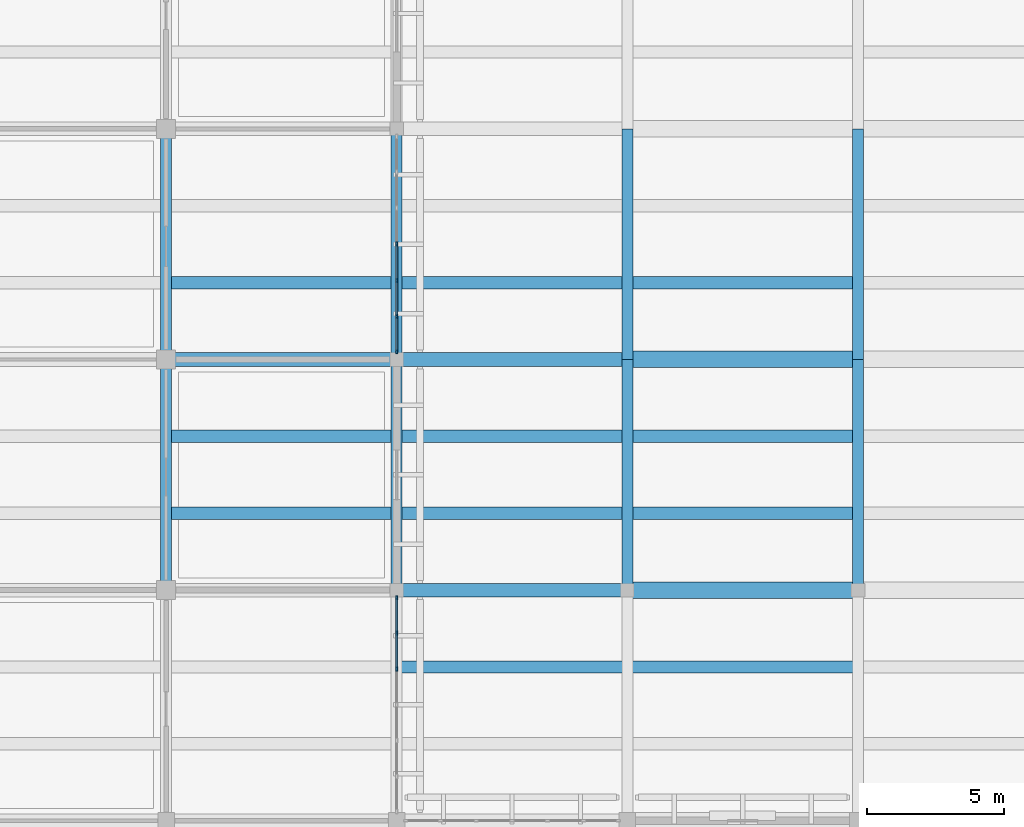
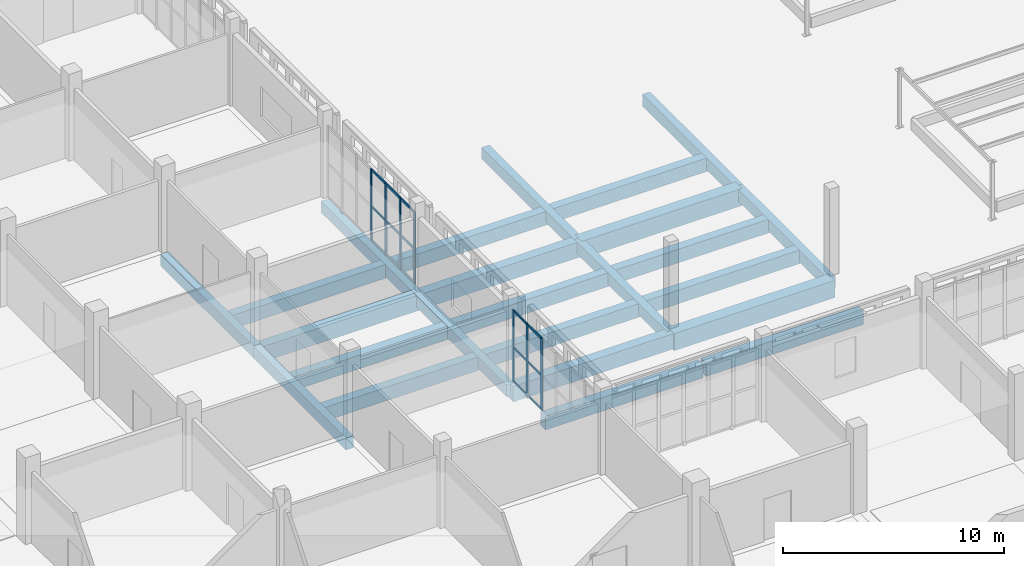
# One storey, part 7 of 129: 24 beams, 22 members, 2 elements without a shape of their own.
"""IFC4 building model written with IfcOpenShell, lengths in metres."""

import ifcopenshell
import ifcopenshell.guid

model = None  # the IFC model being written
_history = None  # IfcOwnerHistory: only IFC2X3 demands one
_inside = {}  # id of a spatial element -> (the spatial element, [elements in it])
_under = {}  # id of a project, library or spatial element -> (it, [spatial elements below it])
_declared = {}  # id of a project -> (the project, [libraries it declares])
_typed = {}  # id of a type object -> (the type object, [elements of that type])
_made_of = {}  # id of a material, layer set ... -> (it, [elements and type objects made of it])


def new_model(schema):
    """Start an empty IFC model of exactly this schema.

    Asked for "IFC4X3", IfcOpenShell would pick the latest addendum, in which some entities
    have other attributes; the version numbers below select the first issue.
    IFC2X3 requires an IfcOwnerHistory on every rooted entity: one is made here for all.
    """
    global model, _history
    if schema == "IFC4X3":
        model = ifcopenshell.file(schema_version=(4, 3, 0, 0))
    else:
        model = ifcopenshell.file(schema=schema)
    _inside.clear()
    _under.clear()
    _declared.clear()
    _typed.clear()
    _made_of.clear()
    _history = None
    if model.schema == "IFC2X3":
        org = make("IfcOrganization", Name="unknown")
        user = make(
            "IfcPersonAndOrganization",
            ThePerson=make("IfcPerson", FamilyName="unknown"),
            TheOrganization=org,
        )
        app = make(
            "IfcApplication",
            ApplicationDeveloper=org,
            Version="unknown",
            ApplicationFullName="unknown",
            ApplicationIdentifier="unknown",
        )
        _history = make(
            "IfcOwnerHistory",
            OwningUser=user,
            OwningApplication=app,
            ChangeAction="ADDED",
            CreationDate=0,
        )
    return model


def make(cls, **values):
    """One entity of the class cls with the attributes given. An attribute that is None is left unset."""
    return model.create_entity(
        cls, **{name: value for name, value in values.items() if value is not None}
    )


def rooted(cls, **values):
    """An entity with a GlobalId (a new one), such as an element, a storey or a relation."""
    return make(cls, GlobalId=ifcopenshell.guid.new(), OwnerHistory=_history, **values)


def si_unit(unit_type, name, prefix=None):
    """IfcSIUnit, for example si_unit("LENGTHUNIT", "METRE", prefix="MILLI")."""
    return make("IfcSIUnit", UnitType=unit_type, Prefix=prefix, Name=name)


def assignment(units):
    """IfcUnitAssignment: the units of a project."""
    return None if units is None else make("IfcUnitAssignment", Units=units)


def point(xyz):
    """IfcCartesianPoint."""
    return None if xyz is None else make("IfcCartesianPoint", Coordinates=xyz)


def direction(xyz):
    """IfcDirection."""
    return None if xyz is None else make("IfcDirection", DirectionRatios=xyz)


def frame(location, z_axis=None, x_axis=None):
    """IfcAxis2Placement3D, a coordinate frame: its origin and axes. An axis left out is left unset."""
    return make(
        "IfcAxis2Placement3D",
        Location=point(location),
        Axis=direction(z_axis),
        RefDirection=direction(x_axis),
    )


def frame_2d(location, x_axis=None):
    """IfcAxis2Placement2D, a coordinate frame in the plane: its origin and x axis."""
    return make(
        "IfcAxis2Placement2D", Location=point(location), RefDirection=direction(x_axis)
    )


def origin():
    """The frame at (0, 0, 0) with its axes left unset."""
    return frame((0.0, 0.0, 0.0))


def origin_2d():
    """The frame at (0, 0) in the plane with its x axis left unset."""
    return frame_2d((0.0, 0.0))


def place(relative_to, where):
    """IfcLocalPlacement: puts the frame where relative to a parent placement (None: the world)."""
    return make(
        "IfcLocalPlacement", PlacementRelTo=relative_to, RelativePlacement=where
    )


def context(
    kind, dimensions, precision=None, world=None, true_north=None, identifier=None
):
    """IfcGeometricRepresentationContext, for example the 3D "Model" context."""
    return make(
        "IfcGeometricRepresentationContext",
        ContextIdentifier=identifier,
        ContextType=kind,
        CoordinateSpaceDimension=dimensions,
        Precision=precision,
        WorldCoordinateSystem=world,
        TrueNorth=true_north,
    )


def subcontext(parent, identifier, kind, view, scale=None):
    """IfcGeometricRepresentationSubContext, for example "Body" below "Model"."""
    return make(
        "IfcGeometricRepresentationSubContext",
        ContextIdentifier=identifier,
        ContextType=kind,
        ParentContext=parent,
        TargetScale=scale,
        TargetView=view,
    )


def project(units=None, contexts=None):
    """IfcProject with its units and contexts."""
    return rooted(
        "IfcProject",
        Name="project",
        RepresentationContexts=contexts,
        UnitsInContext=assignment(units),
    )


def spatial(cls, under=None, at=None, **own):
    """A site, building, storey or space (cls), placed at a placement, below another one or the project."""
    s = rooted(cls, ObjectPlacement=at, **own)
    if under is not None:
        _under.setdefault(under.id(), (under, []))[1].append(s)
    return s


def profile(cls, at=None, kind="AREA", **sizes):
    """A parametric profile (cls). Its sizes go by their IFC names, for example OverallWidth=200.0."""
    return make(cls, ProfileType=kind, Position=at, **sizes)


def rectangle(**sizes):
    """IfcRectangleProfileDef."""
    return profile("IfcRectangleProfileDef", **sizes)


def extrude(swept, where, along, depth):
    """IfcExtrudedAreaSolid: the profile swept, set in the frame where, extruded along a direction by depth."""
    return make(
        "IfcExtrudedAreaSolid",
        SweptArea=swept,
        Position=where,
        ExtrudedDirection=direction(along),
        Depth=depth,
    )


def shape(context_of_items, identifier, shape_type, items):
    """IfcShapeRepresentation: the items that make up one representation, for example the "Body"."""
    return make(
        "IfcShapeRepresentation",
        ContextOfItems=context_of_items,
        RepresentationIdentifier=identifier,
        RepresentationType=shape_type,
        Items=items,
    )


def material(Name=None, Category=None):
    """IfcMaterial."""
    return make("IfcMaterial", Name=Name, Category=Category)


def layer(
    of_material, thickness, ventilated=None, Name=None, Category=None, Priority=None
):
    """IfcMaterialLayer: one layer of a wall or slab, of a material (None: an air gap)."""
    return make(
        "IfcMaterialLayer",
        Material=of_material,
        LayerThickness=thickness,
        IsVentilated=ventilated,
        Name=Name,
        Category=Category,
        Priority=Priority,
    )


def layer_set(layers, Name=None):
    """IfcMaterialLayerSet."""
    return make("IfcMaterialLayerSet", MaterialLayers=layers, LayerSetName=Name)


def material_profile(
    of_material, cross_section, Name=None, Category=None, Priority=None
):
    """IfcMaterialProfile: a cross section and its material."""
    return make(
        "IfcMaterialProfile",
        Name=Name,
        Material=of_material,
        Profile=cross_section,
        Priority=Priority,
        Category=Category,
    )


def profile_set(profiles, Name=None, composite=None):
    """IfcMaterialProfileSet."""
    return make(
        "IfcMaterialProfileSet",
        Name=Name,
        MaterialProfiles=profiles,
        CompositeProfile=composite,
    )


def made_of(thing, what):
    """Note that an element or type object is made of a material, layer set ...; save() writes the relation."""
    if what is not None:
        _made_of.setdefault(what.id(), (what, []))[1].append(thing)
    return thing


def type_object(cls, material=None, **own):
    """A type object (cls), such as IfcWallType, which elements share."""
    return made_of(rooted(cls, **own), material)


def element(
    cls,
    number,
    at=None,
    inside=None,
    cuts=None,
    type_object=None,
    material=None,
    context=None,
    identifier="Body",
    shape_type=None,
    held_by="IfcProductDefinitionShape",
    body=None,
    shapes=None,
    **own,
):
    """One element of the class cls, such as IfcWall. Its Tag is "e" and its number.

    at: its placement. inside: the storey or other place that contains it. cuts: it is an
    opening in that element (IfcRelVoidsElement). A single representation is given by context,
    identifier, shape_type and body (its items); several are given by shapes. held_by: the class
    of the entity that holds the representations. save() writes the other relations.
    """
    e = rooted(cls, Tag="e%d" % number, ObjectPlacement=at, **own)
    if body is not None:
        shapes = [shape(context, identifier, shape_type, body)]
    if shapes is not None:
        e.Representation = make(held_by, Representations=shapes)
    if inside is not None:
        _inside.setdefault(inside.id(), (inside, []))[1].append(e)
    if cuts is not None:
        rooted(
            "IfcRelVoidsElement", RelatingBuildingElement=cuts, RelatedOpeningElement=e
        )
    if type_object is not None:
        _typed.setdefault(type_object.id(), (type_object, []))[1].append(e)
    return made_of(e, material)


def aggregate(whole, parts):
    """IfcRelAggregates: a whole, such as a stair, and the parts it consists of."""
    return rooted("IfcRelAggregates", RelatingObject=whole, RelatedObjects=parts)


def save(model, path):
    """Write the relations noted so far, then the file.

    IfcRelAggregates (storeys below a building ...), IfcRelContainedInSpatialStructure (elements
    in a storey), IfcRelDefinesByType, IfcRelAssociatesMaterial and IfcRelDeclares: one each for
    every whole, place, type object, material and project.
    """
    for whole, parts in _under.values():
        aggregate(whole, parts)
    for where, things in _inside.values():
        rooted(
            "IfcRelContainedInSpatialStructure",
            RelatedElements=things,
            RelatingStructure=where,
        )
    for kind, things in _typed.values():
        rooted("IfcRelDefinesByType", RelatedObjects=things, RelatingType=kind)
    for what, things in _made_of.values():
        rooted("IfcRelAssociatesMaterial", RelatedObjects=things, RelatingMaterial=what)
    for by, libraries in _declared.values():
        rooted("IfcRelDeclares", RelatingContext=by, RelatedDefinitions=libraries)
    model.write(path)


model = new_model("IFC4")

# Units and contexts
model_context = context("Model", 3, precision=1e-05, world=origin(), true_north=direction((0.0, 1.0)))
body_context = subcontext(model_context, "Body", "Model", "MODEL_VIEW")
ifc_project = project(units=[si_unit("LENGTHUNIT", "METRE"), si_unit("AREAUNIT", "SQUARE_METRE"), si_unit("VOLUMEUNIT", "CUBIC_METRE"), si_unit("PLANEANGLEUNIT", "RADIAN"), si_unit("MASSUNIT", "GRAM", prefix="KILO")], contexts=[model_context])

# Site, building, storey
site_placement = place(None, origin())
site = spatial("IfcSite", under=ifc_project, at=site_placement, CompositionType="ELEMENT")
building_placement = place(site_placement, origin())
building = spatial("IfcBuilding", under=site, at=building_placement, Name="Varnapada Polytechnic", CompositionType="ELEMENT")
storey_placement = place(building_placement, origin())
storey = spatial("IfcBuildingStorey", under=building, at=storey_placement, Name="L00", CompositionType="ELEMENT", Elevation=0.0)

# Beams
ifc_material_1 = material(Name="Concrete C40/50", Category="concrete")
ifc_material_profile_1 = material_profile(ifc_material_1, rectangle(XDim=0.449951171875, YDim=0.75, at=origin_2d()), Name="RC 450x750")
ifc_profile_set_1 = profile_set([ifc_material_profile_1], Name="Concrete C40/50")
beam_type_1 = type_object("IfcBeamType", Name="Basement/podium secondary beam BB-01 (RC 450x750)", PredefinedType="BEAM", material=ifc_profile_set_1)
for number, where, z_axis, x_axis, name in (
    (1, (33.679931640625, 53.199951171875, -0.675048828125), (1.0, 0.0, 0.0), (0.0, 1.0, 0.0), "L00 floor joist 5/7.1"),
    (2, (33.679931640625, 56.0, -0.675048828125), (1.0, 0.0, 0.0), (0.0, 1.0, 0.0), "L00 floor joist 5/7.2"),
    (3, (33.679931640625, 61.60009765625, -0.675048828125), (1.0, 0.0, 0.0), (0.0, 1.0, 0.0), "L00 floor joist 5/8.1"),
    (4, (42.080078125, 47.60009765625, -0.675048828125), (1.0, 0.0, 0.0), (0.0, 1.0, 0.0), "L00 floor joist 6/6.2"),
    (5, (42.080078125, 53.199951171875, -0.675048828125), (1.0, 0.0, 0.0), (0.0, 1.0, 0.0), "L00 floor joist 6/7.1"),
    (6, (42.080078125, 56.0, -0.675048828125), (1.0, 0.0, 0.0), (0.0, 1.0, 0.0), "L00 floor joist 6/7.2"),
    (7, (42.080078125, 61.60009765625, -0.675048828125), (1.0, 0.0, 0.0), (0.0, 1.0, 0.0), "L00 floor joist 6/8.1"),
    (8, (50.47998046875, 47.60009765625, -0.655029296875), (1.0, 0.0, 0.0), (0.0, 1.0, 0.0), "L00 floor joist 7/6.2"),
    (9, (50.47998046875, 53.199951171875, -0.655029296875), (1.0, 0.0, 0.0), (0.0, 1.0, 0.0), "L00 floor joist 7/7.1"),
    (10, (50.47998046875, 56.0, -0.655029296875), (1.0, 0.0, 0.0), (0.0, 1.0, 0.0), "L00 floor joist 7/7.2"),
    (11, (50.47998046875, 61.60009765625, -0.655029296875), (1.0, 0.0, 0.0), (0.0, 1.0, 0.0), "L00 floor joist 7/8.1"),
):
    element("IfcBeam", number, at=place(storey_placement, frame(where, z_axis=z_axis, x_axis=x_axis)), inside=storey, type_object=beam_type_1, Name=name, PredefinedType="BEAM", context=body_context, shape_type="SweptSolid", body=[
        extrude(rectangle(XDim=0.449951171875, YDim=0.75, at=origin_2d()), origin(), (0.0, 0.0, 1.0), 8.239990234375),
    ])

# Curtain wall, members
ifc_material_2 = material(Name="Double low-E laminated glass", Category="glass")
ifc_layer = layer(ifc_material_2, 0.159912109375)
ifc_layer_set = layer_set([ifc_layer], Name="Double low-E laminated glass")
curtain_wall_type = type_object("IfcCurtainWallType", Name="Curtain Wall CW-01", PredefinedType="NOTDEFINED", material=ifc_layer_set)
curtain_wall_1_placement = place(storey_placement, origin())
curtain_wall_1 = element("IfcCurtainWall", 12, at=curtain_wall_1_placement, inside=storey, type_object=curtain_wall_type, Name="L00 unitised curtain wall CW-01 (1)", PredefinedType="NOTDEFINED")
ifc_material_3 = material(Name="Anodised aluminium", Category="aluminium")
ifc_material_profile_2 = material_profile(ifc_material_3, rectangle(XDim=0.06005859375, YDim=0.159912109375, at=origin_2d()), Name="ALU M60x160")
ifc_profile_set_2 = profile_set([ifc_material_profile_2], Name="Anodised aluminium")
member_type_1 = type_object("IfcMemberType", Name="Mullion M-01", PredefinedType="MULLION", material=ifc_profile_set_2)
member_1_placement = place(storey_placement, frame((42.0, 50.1201171875, 0.0), z_axis=(0.0, 0.0, 1.0), x_axis=(1.0, 0.0, 0.0)))
member_1 = element("IfcMember", 13, at=member_1_placement, type_object=member_type_1, Name="CW-01 mullion 1", PredefinedType="MULLION", context=body_context, shape_type="SweptSolid", body=[
    extrude(rectangle(XDim=0.06005859375, YDim=0.159912109375, at=origin_2d()), origin(), (0.0, 0.0, 1.0), 3.9599609375),
])
member_2_placement = place(storey_placement, frame((42.0, 48.841552734375, 0.0), z_axis=(0.0, 0.0, 1.0), x_axis=(1.0, 0.0, 0.0)))
member_2 = element("IfcMember", 14, at=member_2_placement, type_object=member_type_1, Name="CW-01 mullion 2", PredefinedType="MULLION", context=body_context, shape_type="SweptSolid", body=[
    extrude(rectangle(XDim=0.06005859375, YDim=0.159912109375, at=origin_2d()), origin(), (0.0, 0.0, 1.0), 3.9599609375),
])
member_3_placement = place(storey_placement, frame((42.0, 47.533447265625, 0.0), z_axis=(0.0, 0.0, 1.0), x_axis=(1.0, 0.0, 0.0)))
member_3 = element("IfcMember", 15, at=member_3_placement, type_object=member_type_1, Name="CW-01 mullion 3", PredefinedType="MULLION", context=body_context, shape_type="SweptSolid", body=[
    extrude(rectangle(XDim=0.06005859375, YDim=0.159912109375, at=origin_2d()), origin(), (0.0, 0.0, 1.0), 3.9599609375),
])

curtain_wall_2_placement = place(storey_placement, origin())
curtain_wall_2 = element("IfcCurtainWall", 16, at=curtain_wall_2_placement, inside=storey, type_object=curtain_wall_type, Name="L00 unitised curtain wall CW-01 (2)", PredefinedType="NOTDEFINED")
member_4_placement = place(storey_placement, frame((42.0, 63.0, 0.0), z_axis=(0.0, 0.0, 1.0), x_axis=(1.0, 0.0, 0.0)))
member_4 = element("IfcMember", 17, at=member_4_placement, type_object=member_type_1, Name="CW-01 mullion 4", PredefinedType="MULLION", context=body_context, shape_type="SweptSolid", body=[
    extrude(rectangle(XDim=0.06005859375, YDim=0.159912109375, at=origin_2d()), origin(), (0.0, 0.0, 1.0), 3.9599609375),
])
member_5_placement = place(storey_placement, frame((42.0, 61.683349609375, 0.0), z_axis=(0.0, 0.0, 1.0), x_axis=(1.0, 0.0, 0.0)))
member_5 = element("IfcMember", 18, at=member_5_placement, type_object=member_type_1, Name="CW-01 mullion 5", PredefinedType="MULLION", context=body_context, shape_type="SweptSolid", body=[
    extrude(rectangle(XDim=0.06005859375, YDim=0.159912109375, at=origin_2d()), origin(), (0.0, 0.0, 1.0), 3.9599609375),
])
member_6_placement = place(storey_placement, frame((42.0, 60.36669921875, 0.0), z_axis=(0.0, 0.0, 1.0), x_axis=(1.0, 0.0, 0.0)))
member_6 = element("IfcMember", 19, at=member_6_placement, type_object=member_type_1, Name="CW-01 mullion 6", PredefinedType="MULLION", context=body_context, shape_type="SweptSolid", body=[
    extrude(rectangle(XDim=0.06005859375, YDim=0.159912109375, at=origin_2d()), origin(), (0.0, 0.0, 1.0), 3.9599609375),
])
member_7_placement = place(storey_placement, frame((42.0, 59.080078125, 0.0), z_axis=(0.0, 0.0, 1.0), x_axis=(1.0, 0.0, 0.0)))
member_7 = element("IfcMember", 20, at=member_7_placement, type_object=member_type_1, Name="CW-01 mullion 7", PredefinedType="MULLION", context=body_context, shape_type="SweptSolid", body=[
    extrude(rectangle(XDim=0.06005859375, YDim=0.159912109375, at=origin_2d()), origin(), (0.0, 0.0, 1.0), 3.9599609375),
])

# Beams
ifc_material_profile_3 = material_profile(ifc_material_1, rectangle(XDim=0.39990234375, YDim=0.64990234375, at=origin_2d()), Name="RC 400x650")
ifc_profile_set_3 = profile_set([ifc_material_profile_3], Name="Concrete C40/50")
beam_type_2 = type_object("IfcBeamType", Name="Podium framing beam BB-02 (RC 400x650)", PredefinedType="BEAM", material=ifc_profile_set_3)
beam_1_placement = place(storey_placement, frame((33.60009765625, 50.39990234375, -0.625), z_axis=(0.0, 1.0, 0.0), x_axis=(-1.0, 0.0, 0.0)))
element("IfcBeam", 21, at=beam_1_placement, inside=storey, type_object=beam_type_2, Name="L00 beam Y 7-8 at X5", PredefinedType="BEAM", context=body_context, shape_type="SweptSolid", body=[
    extrude(rectangle(XDim=0.39990234375, YDim=0.64990234375, at=origin_2d()), origin(), (0.0, 0.0, 1.0), 8.400146484375),
])
beam_2_placement = place(storey_placement, frame((33.60009765625, 58.800048828125, -0.625), z_axis=(0.0, 1.0, 0.0), x_axis=(-1.0, 0.0, 0.0)))
element("IfcBeam", 22, at=beam_2_placement, inside=storey, type_object=beam_type_2, Name="L00 beam Y 8-9 at X5", PredefinedType="BEAM", context=body_context, shape_type="SweptSolid", body=[
    extrude(rectangle(XDim=0.39990234375, YDim=0.64990234375, at=origin_2d()), origin(), (0.0, 0.0, 1.0), 8.39990234375),
])
beam_3_placement = place(storey_placement, frame((42.0, 50.39990234375, -0.625), z_axis=(0.0, 1.0, 0.0), x_axis=(-1.0, 0.0, 0.0)))
element("IfcBeam", 23, at=beam_3_placement, inside=storey, type_object=beam_type_2, Name="L00 beam Y 7-8 at X6", PredefinedType="BEAM", context=body_context, shape_type="SweptSolid", body=[
    extrude(rectangle(XDim=0.39990234375, YDim=0.64990234375, at=origin_2d()), origin(), (0.0, 0.0, 1.0), 8.400146484375),
])
beam_4_placement = place(storey_placement, frame((42.0, 58.800048828125, -0.625), z_axis=(0.0, 1.0, 0.0), x_axis=(-1.0, 0.0, 0.0)))
element("IfcBeam", 24, at=beam_4_placement, inside=storey, type_object=beam_type_2, Name="L00 beam Y 8-9 at X6", PredefinedType="BEAM", context=body_context, shape_type="SweptSolid", body=[
    extrude(rectangle(XDim=0.39990234375, YDim=0.64990234375, at=origin_2d()), origin(), (0.0, 0.0, 1.0), 8.39990234375),
])
beam_5_placement = place(storey_placement, frame((50.39990234375, 50.39990234375, -0.60498046875), z_axis=(0.0, 1.0, 0.0), x_axis=(-1.0, 0.0, 0.0)))
element("IfcBeam", 25, at=beam_5_placement, inside=storey, type_object=beam_type_2, Name="L00 beam Y 7-8 at X7", PredefinedType="BEAM", context=body_context, shape_type="SweptSolid", body=[
    extrude(rectangle(XDim=0.39990234375, YDim=0.64990234375, at=origin_2d()), origin(), (0.0, 0.0, 1.0), 8.400146484375),
])
beam_6_placement = place(storey_placement, frame((50.39990234375, 58.800048828125, -0.60498046875), z_axis=(0.0, 1.0, 0.0), x_axis=(-1.0, 0.0, 0.0)))
element("IfcBeam", 26, at=beam_6_placement, inside=storey, type_object=beam_type_2, Name="L00 beam Y 8-9 at X7", PredefinedType="BEAM", context=body_context, shape_type="SweptSolid", body=[
    extrude(rectangle(XDim=0.39990234375, YDim=0.64990234375, at=origin_2d()), origin(), (0.0, 0.0, 1.0), 8.39990234375),
])
beam_7_placement = place(storey_placement, frame((58.800048828125, 50.39990234375, -0.60498046875), z_axis=(0.0, 1.0, 0.0), x_axis=(-1.0, 0.0, 0.0)))
element("IfcBeam", 27, at=beam_7_placement, inside=storey, type_object=beam_type_2, Name="L00 beam Y 7-8 at X8", PredefinedType="BEAM", context=body_context, shape_type="SweptSolid", body=[
    extrude(rectangle(XDim=0.39990234375, YDim=0.64990234375, at=origin_2d()), origin(), (0.0, 0.0, 1.0), 8.400146484375),
])
beam_8_placement = place(storey_placement, frame((58.800048828125, 58.800048828125, -0.60498046875), z_axis=(0.0, 1.0, 0.0), x_axis=(-1.0, 0.0, 0.0)))
element("IfcBeam", 28, at=beam_8_placement, inside=storey, type_object=beam_type_2, Name="L00 beam Y 8-9 at X8", PredefinedType="BEAM", context=body_context, shape_type="SweptSolid", body=[
    extrude(rectangle(XDim=0.39990234375, YDim=0.64990234375, at=origin_2d()), origin(), (0.0, 0.0, 1.0), 8.39990234375),
])
ifc_material_profile_4 = material_profile(ifc_material_1, rectangle(XDim=0.5, YDim=0.85009765625, at=origin_2d()), Name="RC 500x850")
ifc_profile_set_4 = profile_set([ifc_material_profile_4], Name="Concrete C40/50")
beam_type_3 = type_object("IfcBeamType", Name="Standard podium primary girder BG-02 (RC 500x850)", PredefinedType="T_BEAM", material=ifc_profile_set_4)
for number, where, z_axis, x_axis, name in (
    (29, (33.60009765625, 58.800048828125, -0.72509765625), (1.0, 0.0, 0.0), (0.0, 1.0, 0.0), "L00 beam X 5-6 at Y8"),
    (30, (42.0, 50.39990234375, -0.72509765625), (1.0, 0.0, 0.0), (0.0, 1.0, 0.0), "L00 beam X 6-7 at Y7"),
    (31, (42.0, 58.800048828125, -0.72509765625), (1.0, 0.0, 0.0), (0.0, 1.0, 0.0), "L00 beam X 6-7 at Y8"),
):
    element("IfcBeam", number, at=place(storey_placement, frame(where, z_axis=z_axis, x_axis=x_axis)), inside=storey, type_object=beam_type_3, Name=name, PredefinedType="T_BEAM", context=body_context, shape_type="SweptSolid", body=[
        extrude(rectangle(XDim=0.5, YDim=0.85009765625, at=origin_2d()), origin(), (0.0, 0.0, 1.0), 8.39990234375),
    ])

# Member
ifc_material_profile_5 = material_profile(ifc_material_3, rectangle(XDim=0.06005859375, YDim=0.1201171875, at=origin_2d()), Name="ALU T60x120")
ifc_profile_set_5 = profile_set([ifc_material_profile_5], Name="Anodised aluminium")
member_type_2 = type_object("IfcMemberType", Name="Transom T-01", PredefinedType="USERDEFINED", material=ifc_profile_set_5)
member_8_placement = place(storey_placement, frame((42.0, 50.090087890625, 0.030029296875), z_axis=(0.0, -1.0, 0.0), x_axis=(1.0, 0.0, 0.0)))
member_8 = element("IfcMember", 32, at=member_8_placement, type_object=member_type_2, Name="CW-01 transom 1.1", ObjectType="TRANSOM", PredefinedType="USERDEFINED", context=body_context, shape_type="SweptSolid", body=[
    extrude(rectangle(XDim=0.06005859375, YDim=0.1201171875, at=origin_2d()), origin(), (0.0, 0.0, 1.0), 1.218505859375),
])

member_9_placement = place(storey_placement, frame((42.0, 50.090087890625, 1.90087890625), z_axis=(0.0, -1.0, 0.0), x_axis=(1.0, 0.0, 0.0)))
member_9 = element("IfcMember", 33, at=member_9_placement, type_object=member_type_2, Name="CW-01 transom 1.2", ObjectType="TRANSOM", PredefinedType="USERDEFINED", context=body_context, shape_type="SweptSolid", body=[
    extrude(rectangle(XDim=0.06005859375, YDim=0.1201171875, at=origin_2d()), origin(), (0.0, 0.0, 1.0), 1.218505859375),
])

member_10_placement = place(storey_placement, frame((42.0, 50.090087890625, 3.929931640625), z_axis=(0.0, -1.0, 0.0), x_axis=(1.0, 0.0, 0.0)))
member_10 = element("IfcMember", 34, at=member_10_placement, type_object=member_type_2, Name="CW-01 transom 1.3", ObjectType="TRANSOM", PredefinedType="USERDEFINED", context=body_context, shape_type="SweptSolid", body=[
    extrude(rectangle(XDim=0.06005859375, YDim=0.1201171875, at=origin_2d()), origin(), (0.0, 0.0, 1.0), 1.218505859375),
])

member_11_placement = place(storey_placement, frame((42.0, 48.811767578125, 0.030029296875), z_axis=(0.0, -1.0, 0.0), x_axis=(1.0, 0.0, 0.0)))
member_11 = element("IfcMember", 35, at=member_11_placement, type_object=member_type_2, Name="CW-01 transom 2.1", ObjectType="TRANSOM", PredefinedType="USERDEFINED", context=body_context, shape_type="SweptSolid", body=[
    extrude(rectangle(XDim=0.06005859375, YDim=0.1201171875, at=origin_2d()), origin(), (0.0, 0.0, 1.0), 1.24853515625),
])

member_12_placement = place(storey_placement, frame((42.0, 48.811767578125, 1.90087890625), z_axis=(0.0, -1.0, 0.0), x_axis=(1.0, 0.0, 0.0)))
member_12 = element("IfcMember", 36, at=member_12_placement, type_object=member_type_2, Name="CW-01 transom 2.2", ObjectType="TRANSOM", PredefinedType="USERDEFINED", context=body_context, shape_type="SweptSolid", body=[
    extrude(rectangle(XDim=0.06005859375, YDim=0.1201171875, at=origin_2d()), origin(), (0.0, 0.0, 1.0), 1.24853515625),
])

member_13_placement = place(storey_placement, frame((42.0, 48.811767578125, 3.929931640625), z_axis=(0.0, -1.0, 0.0), x_axis=(1.0, 0.0, 0.0)))
member_13 = element("IfcMember", 37, at=member_13_placement, type_object=member_type_2, Name="CW-01 transom 2.3", ObjectType="TRANSOM", PredefinedType="USERDEFINED", context=body_context, shape_type="SweptSolid", body=[
    extrude(rectangle(XDim=0.06005859375, YDim=0.1201171875, at=origin_2d()), origin(), (0.0, 0.0, 1.0), 1.24853515625),
])

aggregate(curtain_wall_1, [member_1, member_2, member_3, member_8, member_9, member_10, member_11, member_12, member_13])

member_14_placement = place(storey_placement, frame((42.0, 62.969970703125, 0.030029296875), z_axis=(0.0, -1.0, 0.0), x_axis=(1.0, 0.0, 0.0)))
member_14 = element("IfcMember", 38, at=member_14_placement, type_object=member_type_2, Name="CW-01 transom 4.1", ObjectType="TRANSOM", PredefinedType="USERDEFINED", context=body_context, shape_type="SweptSolid", body=[
    extrude(rectangle(XDim=0.06005859375, YDim=0.1201171875, at=origin_2d()), origin(), (0.0, 0.0, 1.0), 1.256591796875),
])

member_15_placement = place(storey_placement, frame((42.0, 62.969970703125, 1.90087890625), z_axis=(0.0, -1.0, 0.0), x_axis=(1.0, 0.0, 0.0)))
member_15 = element("IfcMember", 39, at=member_15_placement, type_object=member_type_2, Name="CW-01 transom 4.2", ObjectType="TRANSOM", PredefinedType="USERDEFINED", context=body_context, shape_type="SweptSolid", body=[
    extrude(rectangle(XDim=0.06005859375, YDim=0.1201171875, at=origin_2d()), origin(), (0.0, 0.0, 1.0), 1.256591796875),
])

member_16_placement = place(storey_placement, frame((42.0, 62.969970703125, 3.929931640625), z_axis=(0.0, -1.0, 0.0), x_axis=(1.0, 0.0, 0.0)))
member_16 = element("IfcMember", 40, at=member_16_placement, type_object=member_type_2, Name="CW-01 transom 4.3", ObjectType="TRANSOM", PredefinedType="USERDEFINED", context=body_context, shape_type="SweptSolid", body=[
    extrude(rectangle(XDim=0.06005859375, YDim=0.1201171875, at=origin_2d()), origin(), (0.0, 0.0, 1.0), 1.256591796875),
])

member_17_placement = place(storey_placement, frame((42.0, 61.6533203125, 0.030029296875), z_axis=(0.0, -1.0, 0.0), x_axis=(1.0, 0.0, 0.0)))
member_17 = element("IfcMember", 41, at=member_17_placement, type_object=member_type_2, Name="CW-01 transom 5.1", ObjectType="TRANSOM", PredefinedType="USERDEFINED", context=body_context, shape_type="SweptSolid", body=[
    extrude(rectangle(XDim=0.06005859375, YDim=0.1201171875, at=origin_2d()), origin(), (0.0, 0.0, 1.0), 1.256591796875),
])

member_18_placement = place(storey_placement, frame((42.0, 61.6533203125, 1.90087890625), z_axis=(0.0, -1.0, 0.0), x_axis=(1.0, 0.0, 0.0)))
member_18 = element("IfcMember", 42, at=member_18_placement, type_object=member_type_2, Name="CW-01 transom 5.2", ObjectType="TRANSOM", PredefinedType="USERDEFINED", context=body_context, shape_type="SweptSolid", body=[
    extrude(rectangle(XDim=0.06005859375, YDim=0.1201171875, at=origin_2d()), origin(), (0.0, 0.0, 1.0), 1.256591796875),
])

member_19_placement = place(storey_placement, frame((42.0, 61.6533203125, 3.929931640625), z_axis=(0.0, -1.0, 0.0), x_axis=(1.0, 0.0, 0.0)))
member_19 = element("IfcMember", 43, at=member_19_placement, type_object=member_type_2, Name="CW-01 transom 5.3", ObjectType="TRANSOM", PredefinedType="USERDEFINED", context=body_context, shape_type="SweptSolid", body=[
    extrude(rectangle(XDim=0.06005859375, YDim=0.1201171875, at=origin_2d()), origin(), (0.0, 0.0, 1.0), 1.256591796875),
])

member_20_placement = place(storey_placement, frame((42.0, 60.336669921875, 0.030029296875), z_axis=(0.0, -1.0, 0.0), x_axis=(1.0, 0.0, 0.0)))
member_20 = element("IfcMember", 44, at=member_20_placement, type_object=member_type_2, Name="CW-01 transom 6.1", ObjectType="TRANSOM", PredefinedType="USERDEFINED", context=body_context, shape_type="SweptSolid", body=[
    extrude(rectangle(XDim=0.06005859375, YDim=0.1201171875, at=origin_2d()), origin(), (0.0, 0.0, 1.0), 1.2265625),
])

member_21_placement = place(storey_placement, frame((42.0, 60.336669921875, 1.90087890625), z_axis=(0.0, -1.0, 0.0), x_axis=(1.0, 0.0, 0.0)))
member_21 = element("IfcMember", 45, at=member_21_placement, type_object=member_type_2, Name="CW-01 transom 6.2", ObjectType="TRANSOM", PredefinedType="USERDEFINED", context=body_context, shape_type="SweptSolid", body=[
    extrude(rectangle(XDim=0.06005859375, YDim=0.1201171875, at=origin_2d()), origin(), (0.0, 0.0, 1.0), 1.2265625),
])

member_22_placement = place(storey_placement, frame((42.0, 60.336669921875, 3.929931640625), z_axis=(0.0, -1.0, 0.0), x_axis=(1.0, 0.0, 0.0)))
member_22 = element("IfcMember", 46, at=member_22_placement, type_object=member_type_2, Name="CW-01 transom 6.3", ObjectType="TRANSOM", PredefinedType="USERDEFINED", context=body_context, shape_type="SweptSolid", body=[
    extrude(rectangle(XDim=0.06005859375, YDim=0.1201171875, at=origin_2d()), origin(), (0.0, 0.0, 1.0), 1.2265625),
])

aggregate(curtain_wall_2, [member_4, member_5, member_6, member_7, member_14, member_15, member_16, member_17, member_18, member_19, member_20, member_21, member_22])

# Beams
ifc_material_profile_6 = material_profile(ifc_material_1, rectangle(XDim=0.60009765625, YDim=0.949951171875, at=origin_2d()), Name="RC 600x950")
ifc_profile_set_6 = profile_set([ifc_material_profile_6], Name="Concrete C40/50")
beam_type_4 = type_object("IfcBeamType", Name="Workshop podium heavy girder BG-03 (RC 600x950)", PredefinedType="T_BEAM", material=ifc_profile_set_6)
for number, where, z_axis, x_axis, name in (
    (47, (50.39990234375, 50.39990234375, -0.7548828125), (1.0, 0.0, 0.0), (0.0, 1.0, 0.0), "L00 beam X 7-8 at Y7"),
    (48, (50.39990234375, 58.800048828125, -0.7548828125), (1.0, 0.0, 0.0), (0.0, 1.0, 0.0), "L00 beam X 7-8 at Y8"),
):
    element("IfcBeam", number, at=place(storey_placement, frame(where, z_axis=z_axis, x_axis=x_axis)), inside=storey, type_object=beam_type_4, Name=name, PredefinedType="T_BEAM", context=body_context, shape_type="SweptSolid", body=[
        extrude(rectangle(XDim=0.60009765625, YDim=0.949951171875, at=origin_2d()), origin(), (0.0, 0.0, 1.0), 8.400146484375),
    ])

save(model, "model.ifc")
